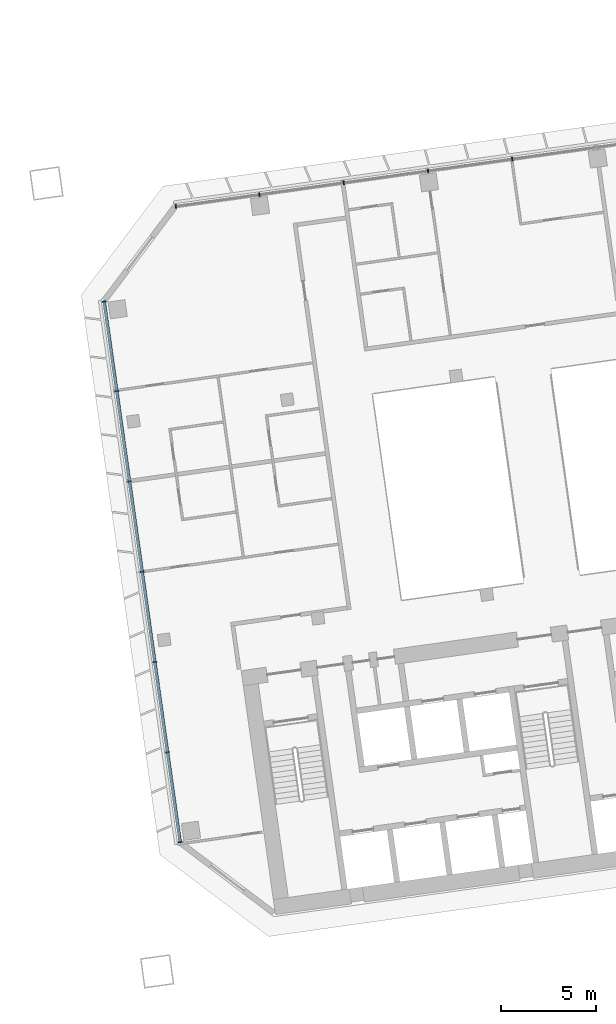
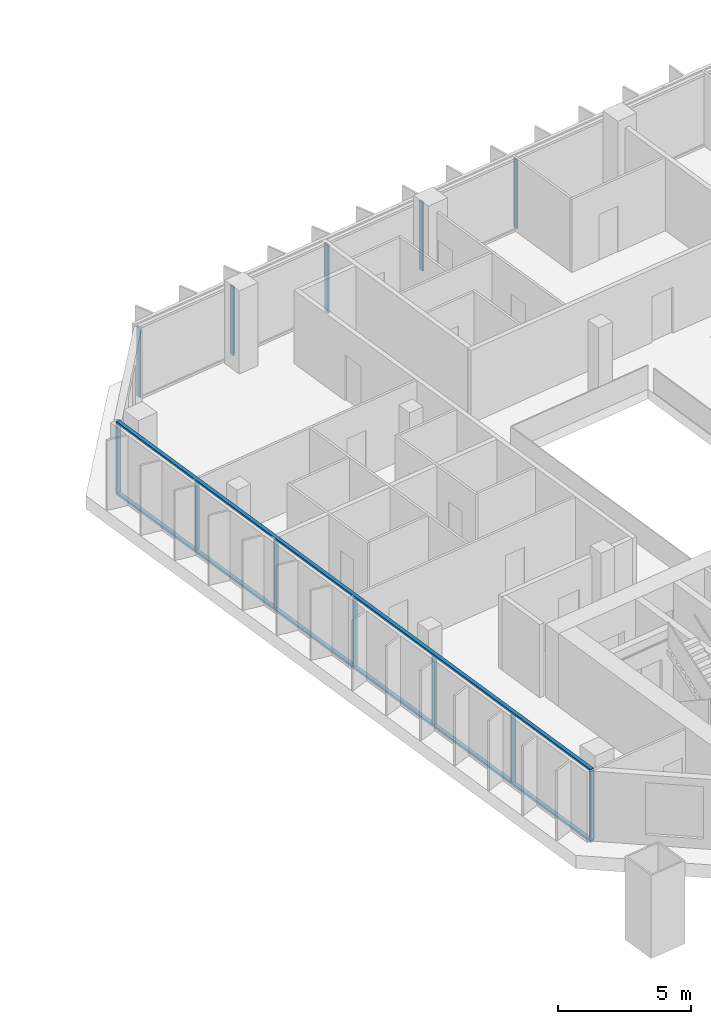
# One storey, part 10 of 33: 14 members, 2 elements without a shape of their own.
"""IFC4 building model written with IfcOpenShell, lengths in metres."""

from ifc_helpers import new_model, si_unit, direction, frame, origin, origin_2d, place, context, subcontext, project, spatial, rectangle, extrude, material, material_profile, profile_set, type_object, element, aggregate, save


model = new_model("IFC4")

# Units and contexts
model_context = context("Model", 3, precision=1e-05, world=origin(), true_north=direction((0.0, 1.0)))
body_context = subcontext(model_context, "Body", "Model", "MODEL_VIEW")
ifc_project = project(units=[si_unit("LENGTHUNIT", "METRE"), si_unit("AREAUNIT", "SQUARE_METRE"), si_unit("VOLUMEUNIT", "CUBIC_METRE"), si_unit("PLANEANGLEUNIT", "RADIAN"), si_unit("MASSUNIT", "GRAM", prefix="KILO")], contexts=[model_context])

# Site, building, storey
site_placement = place(None, origin())
site = spatial("IfcSite", under=ifc_project, at=site_placement, CompositionType="ELEMENT")
building_placement = place(site_placement, origin())
building = spatial("IfcBuilding", under=site, at=building_placement, Name="Mirante Cascada Hotel Towers", CompositionType="ELEMENT")
storey_placement = place(building_placement, frame((0.0, 0.0, 121.5)))
storey = spatial("IfcBuildingStorey", under=building, at=storey_placement, Name="L27", CompositionType="ELEMENT", Elevation=121.5)

# Curtain wall, members
ifc_material_1 = material(Name="Aluminium mullion and transom frame with clear laminated glass", Category="aluminium")
curtain_wall_type_1 = type_object("IfcCurtainWallType", Name="Ribbon curtain wall ECW1", PredefinedType="NOTDEFINED", material=ifc_material_1)
curtain_wall_1_placement = place(storey_placement, origin())
curtain_wall_1 = element("IfcCurtainWall", 1, at=curtain_wall_1_placement, inside=storey, type_object=curtain_wall_type_1, Name="Front ribbon wall T2 L27", PredefinedType="NOTDEFINED")
ifc_material_2 = material(Name="Anodised aluminium extrusion", Category="aluminium")
ifc_material_profile_1 = material_profile(ifc_material_2, rectangle(XDim=0.2, YDim=0.065, at=origin_2d()), Name="ECW1 MULLION 65x200")
ifc_profile_set_1 = profile_set([ifc_material_profile_1], Name="Anodised aluminium extrusion")
member_type_1 = type_object("IfcMemberType", Name="ECW1 mullion 65x200", PredefinedType="MULLION", material=ifc_profile_set_1)
member_1_placement = place(storey_placement, frame((49.684, 19.8017, 0.1), z_axis=(0.0, 0.0, 1.0), x_axis=(0.1391731, -0.9902681, 0.0)))
member_1 = element("IfcMember", 2, at=member_1_placement, type_object=member_type_1, Name="ECW1 mullion 11", PredefinedType="MULLION", context=body_context, shape_type="SweptSolid", body=[
    extrude(rectangle(XDim=0.2, YDim=0.065, at=origin_2d()), origin(), (0.0, 0.0, 1.0), 3.15),
])
member_2_placement = place(storey_placement, frame((45.2366, 19.1766, 0.1), z_axis=(0.0, 0.0, 1.0), x_axis=(0.1391731, -0.9902681, 0.0)))
member_2 = element("IfcMember", 3, at=member_2_placement, type_object=member_type_1, Name="ECW1 mullion 12", PredefinedType="MULLION", context=body_context, shape_type="SweptSolid", body=[
    extrude(rectangle(XDim=0.2, YDim=0.065, at=origin_2d()), origin(), (0.0, 0.0, 1.0), 3.15),
])
member_3_placement = place(storey_placement, frame((40.7892, 18.5516, 0.1), z_axis=(0.0, 0.0, 1.0), x_axis=(0.1391731, -0.9902681, 0.0)))
member_3 = element("IfcMember", 4, at=member_3_placement, type_object=member_type_1, Name="ECW1 mullion 13", PredefinedType="MULLION", context=body_context, shape_type="SweptSolid", body=[
    extrude(rectangle(XDim=0.2, YDim=0.065, at=origin_2d()), origin(), (0.0, 0.0, 1.0), 3.15),
])
member_4_placement = place(storey_placement, frame((36.3417, 17.9265, 0.1), z_axis=(0.0, 0.0, 1.0), x_axis=(0.1391731, -0.9902681, 0.0)))
member_4 = element("IfcMember", 5, at=member_4_placement, type_object=member_type_1, Name="ECW1 mullion 14", PredefinedType="MULLION", context=body_context, shape_type="SweptSolid", body=[
    extrude(rectangle(XDim=0.2, YDim=0.065, at=origin_2d()), origin(), (0.0, 0.0, 1.0), 3.15),
])
member_5_placement = place(storey_placement, frame((31.9265, 17.306, 0.1), z_axis=(0.0, 0.0, 1.0), x_axis=(0.1391731, -0.9902681, 0.0)))
member_5 = element("IfcMember", 6, at=member_5_placement, type_object=member_type_1, Name="ECW1 mullion 15", PredefinedType="MULLION", context=body_context, shape_type="SweptSolid", body=[
    extrude(rectangle(XDim=0.2, YDim=0.065, at=origin_2d()), origin(), (0.0, 0.0, 1.0), 3.15),
])
aggregate(curtain_wall_1, [member_1, member_2, member_3, member_4, member_5])

ifc_material_3 = material(Name="Aluminium mullion and transom frame with clear laminated glass", Category="aluminium")
curtain_wall_type_2 = type_object("IfcCurtainWallType", Name="End ribbon curtain wall ECW2", PredefinedType="NOTDEFINED", material=ifc_material_3)
curtain_wall_2_placement = place(storey_placement, origin())
curtain_wall_2 = element("IfcCurtainWall", 7, at=curtain_wall_2_placement, inside=storey, type_object=curtain_wall_type_2, Name="Inner end wall T2 L27", PredefinedType="NOTDEFINED")
ifc_material_4 = material(Name="Anodised aluminium extrusion", Category="aluminium")
ifc_material_profile_2 = material_profile(ifc_material_4, rectangle(XDim=0.2, YDim=0.065, at=origin_2d()), Name="ECW2 MULLION 65x200")
ifc_profile_set_2 = profile_set([ifc_material_profile_2], Name="Anodised aluminium extrusion")
member_type_2 = type_object("IfcMemberType", Name="ECW2 mullion 65x200", PredefinedType="MULLION", material=ifc_profile_set_2)
member_6_placement = place(storey_placement, frame((28.1437, 12.2861, 0.1), z_axis=(0.0, 0.0, 1.0), x_axis=(0.9902681, 0.1391731, 0.0)))
member_6 = element("IfcMember", 8, at=member_6_placement, type_object=member_type_2, Name="ECW2 mullion 1", PredefinedType="MULLION", context=body_context, shape_type="SweptSolid", body=[
    extrude(rectangle(XDim=0.2, YDim=0.065, at=origin_2d()), origin(), (0.0, 0.0, 1.0), 3.15),
])
member_7_placement = place(storey_placement, frame((28.809, 7.5524, 0.1), z_axis=(0.0, 0.0, 1.0), x_axis=(0.9902681, 0.1391731, 0.0)))
member_7 = element("IfcMember", 9, at=member_7_placement, type_object=member_type_2, Name="ECW2 mullion 2", PredefinedType="MULLION", context=body_context, shape_type="SweptSolid", body=[
    extrude(rectangle(XDim=0.2, YDim=0.065, at=origin_2d()), origin(), (0.0, 0.0, 1.0), 3.15),
])
member_8_placement = place(storey_placement, frame((29.4788, 2.7867, 0.1), z_axis=(0.0, 0.0, 1.0), x_axis=(0.9902681, 0.1391731, 0.0)))
member_8 = element("IfcMember", 10, at=member_8_placement, type_object=member_type_2, Name="ECW2 mullion 3", PredefinedType="MULLION", context=body_context, shape_type="SweptSolid", body=[
    extrude(rectangle(XDim=0.2, YDim=0.065, at=origin_2d()), origin(), (0.0, 0.0, 1.0), 3.15),
])
member_9_placement = place(storey_placement, frame((30.1485, -1.9791, 0.1), z_axis=(0.0, 0.0, 1.0), x_axis=(0.9902681, 0.1391731, 0.0)))
member_9 = element("IfcMember", 11, at=member_9_placement, type_object=member_type_2, Name="ECW2 mullion 4", PredefinedType="MULLION", context=body_context, shape_type="SweptSolid", body=[
    extrude(rectangle(XDim=0.2, YDim=0.065, at=origin_2d()), origin(), (0.0, 0.0, 1.0), 3.15),
])
member_10_placement = place(storey_placement, frame((30.8183, -6.7449, 0.1), z_axis=(0.0, 0.0, 1.0), x_axis=(0.9902681, 0.1391731, 0.0)))
member_10 = element("IfcMember", 12, at=member_10_placement, type_object=member_type_2, Name="ECW2 mullion 5", PredefinedType="MULLION", context=body_context, shape_type="SweptSolid", body=[
    extrude(rectangle(XDim=0.2, YDim=0.065, at=origin_2d()), origin(), (0.0, 0.0, 1.0), 3.15),
])
member_11_placement = place(storey_placement, frame((31.4881, -11.5107, 0.1), z_axis=(0.0, 0.0, 1.0), x_axis=(0.9902681, 0.1391731, 0.0)))
member_11 = element("IfcMember", 13, at=member_11_placement, type_object=member_type_2, Name="ECW2 mullion 6", PredefinedType="MULLION", context=body_context, shape_type="SweptSolid", body=[
    extrude(rectangle(XDim=0.2, YDim=0.065, at=origin_2d()), origin(), (0.0, 0.0, 1.0), 3.15),
])
member_12_placement = place(storey_placement, frame((32.1534, -16.2443, 0.1), z_axis=(0.0, 0.0, 1.0), x_axis=(0.9902681, 0.1391731, 0.0)))
member_12 = element("IfcMember", 14, at=member_12_placement, type_object=member_type_2, Name="ECW2 mullion 7", PredefinedType="MULLION", context=body_context, shape_type="SweptSolid", body=[
    extrude(rectangle(XDim=0.2, YDim=0.065, at=origin_2d()), origin(), (0.0, 0.0, 1.0), 3.15),
])
ifc_material_5 = material(Name="Anodised aluminium extrusion", Category="aluminium")
ifc_material_profile_3 = material_profile(ifc_material_5, rectangle(XDim=0.16, YDim=0.1, at=origin_2d()), Name="ECW2 TRANSOM 100x160")
ifc_profile_set_3 = profile_set([ifc_material_profile_3], Name="Anodised aluminium extrusion")
member_type_3 = type_object("IfcMemberType", Name="ECW2 transom 100x160", PredefinedType="USERDEFINED", material=ifc_profile_set_3)
member_13_placement = place(storey_placement, frame((28.1392, 12.3182, 0.05), z_axis=(0.1391723, -0.9902682, 0.0), x_axis=(0.9902682, 0.1391723, 0.0)))
member_13 = element("IfcMember", 15, at=member_13_placement, type_object=member_type_3, Name="ECW2 sill transom", ObjectType="TRANSOM", PredefinedType="USERDEFINED", context=body_context, shape_type="SweptSolid", body=[
    extrude(rectangle(XDim=0.16, YDim=0.1, at=origin_2d()), origin(), (0.0, 0.0, 1.0), 28.8757),
])
member_14_placement = place(storey_placement, frame((28.1392, 12.3182, 3.3), z_axis=(0.1391723, -0.9902682, 0.0), x_axis=(0.9902682, 0.1391723, 0.0)))
member_14 = element("IfcMember", 16, at=member_14_placement, type_object=member_type_3, Name="ECW2 head transom", ObjectType="TRANSOM", PredefinedType="USERDEFINED", context=body_context, shape_type="SweptSolid", body=[
    extrude(rectangle(XDim=0.16, YDim=0.1, at=origin_2d()), origin(), (0.0, 0.0, 1.0), 28.8757),
])
aggregate(curtain_wall_2, [member_13, member_14, member_6, member_7, member_8, member_9, member_10, member_11, member_12])

save(model, "model.ifc")
